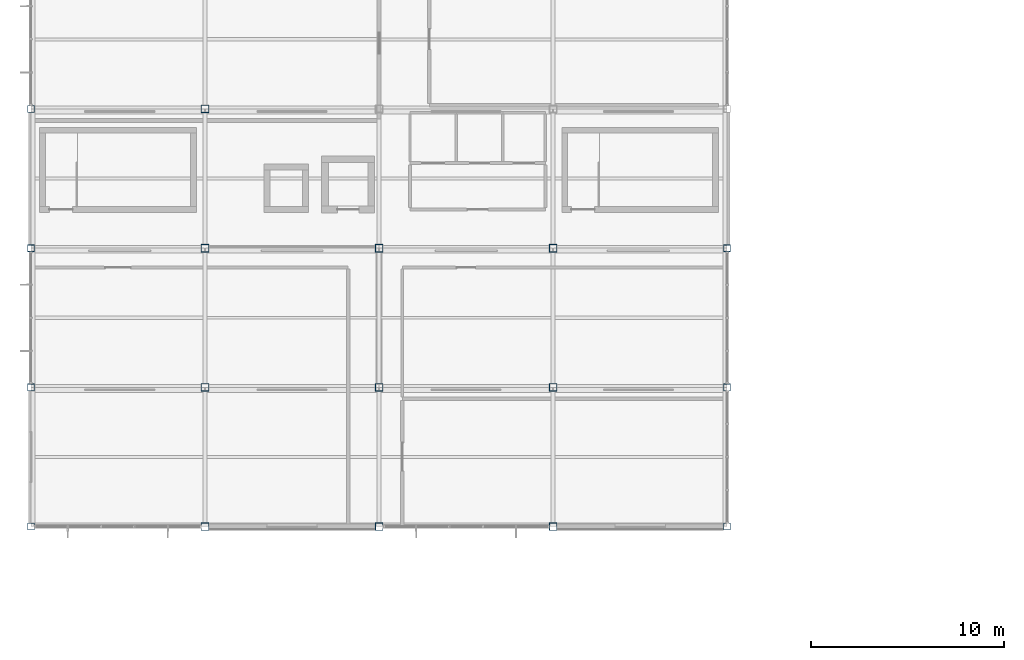
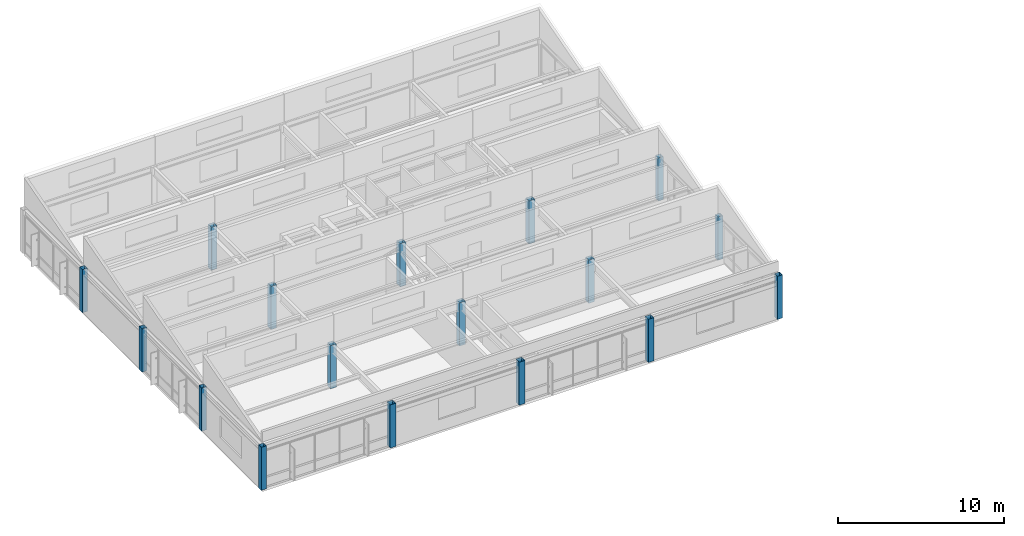
# One storey, part 1 of 43: 17 columns.
"""IFC4 building model written with IfcOpenShell, lengths in metres."""

from ifc_helpers import new_model, si_unit, direction, frame, origin, origin_2d, place, context, subcontext, project, spatial, hollow_rectangle, extrude, material, material_profile, profile_set, type_object, element, save


model = new_model("IFC4")

# Units and contexts
model_context = context("Model", 3, precision=1e-05, world=origin(), true_north=direction((0.0, 1.0)))
body_context = subcontext(model_context, "Body", "Model", "MODEL_VIEW")
ifc_project = project(units=[si_unit("LENGTHUNIT", "METRE"), si_unit("AREAUNIT", "SQUARE_METRE"), si_unit("VOLUMEUNIT", "CUBIC_METRE"), si_unit("PLANEANGLEUNIT", "RADIAN"), si_unit("MASSUNIT", "GRAM", prefix="KILO")], contexts=[model_context])

# Site, building, storey
site_placement = place(None, origin())
site = spatial("IfcSite", under=ifc_project, at=site_placement, CompositionType="ELEMENT")
building_placement = place(site_placement, origin())
building = spatial("IfcBuilding", under=site, at=building_placement, Name="Kazanami Central Library", CompositionType="ELEMENT")
storey_placement = place(building_placement, frame((0.0, 0.0, 20.60009765625)))
storey = spatial("IfcBuildingStorey", under=building, at=storey_placement, Name="L06", CompositionType="ELEMENT", Elevation=20.60009765625)

# Columns
ifc_material = material(Name="Steel BCP325 (325 MPa)", Category="steel")
ifc_material_profile_1 = material_profile(ifc_material, hollow_rectangle(XDim=0.35009765625, YDim=0.35009765625, WallThickness=0.011962890625, at=origin_2d()), Name="STKR-350x350x12")
ifc_profile_set_1 = profile_set([ifc_material_profile_1], Name="Steel BCP325 (325 MPa)")
column_type_1 = type_object("IfcColumnType", Name="COL-C-P4E", PredefinedType="COLUMN", material=ifc_profile_set_1)
for number, where, z_axis, x_axis, name in (
    (1, (0.0, 64.800048828125, 0.0), (0.0, 0.0, 1.0), (1.0, 0.0, 0.0), "Column C-P4E L06 1/K"),
    (2, (0.0, 72.0, 0.0), (0.0, 0.0, 1.0), (1.0, 0.0, 0.0), "Column C-P4E L06 1/L"),
    (3, (0.0, 79.199951171875, 0.0), (0.0, 0.0, 1.0), (1.0, 0.0, 0.0), "Column C-P4E L06 1/M"),
    (4, (0.0, 86.39990234375, 0.0), (0.0, 0.0, 1.0), (1.0, 0.0, 0.0), "Column C-P4E L06 1/N"),
    (5, (36.0, 64.800048828125, 0.0), (0.0, 0.0, 1.0), (1.0, 0.0, 0.0), "Column C-P4E L06 5/K"),
    (6, (36.0, 72.0, 0.0), (0.0, 0.0, 1.0), (1.0, 0.0, 0.0), "Column C-P4E L06 5/L"),
    (7, (36.0, 79.199951171875, 0.0), (0.0, 0.0, 1.0), (1.0, 0.0, 0.0), "Column C-P4E L06 5/M"),
):
    element("IfcColumn", number, at=place(storey_placement, frame(where, z_axis=z_axis, x_axis=x_axis)), inside=storey, type_object=column_type_1, Name=name, PredefinedType="COLUMN", context=body_context, shape_type="SweptSolid", body=[
        extrude(hollow_rectangle(XDim=0.35009765625, YDim=0.35009765625, WallThickness=0.011962890625, at=origin_2d()), origin(), (0.0, 0.0, 1.0), 3.179931640625),
    ])
ifc_material_profile_2 = material_profile(ifc_material, hollow_rectangle(XDim=0.39990234375, YDim=0.39990234375, WallThickness=0.01611328125, at=origin_2d()), Name="BCP-400x400x16")
ifc_profile_set_2 = profile_set([ifc_material_profile_2], Name="Steel BCP325 (325 MPa)")
column_type_2 = type_object("IfcColumnType", Name="COL-C-P4I", PredefinedType="COLUMN", material=ifc_profile_set_2)
for number, where, z_axis, x_axis, name in (
    (8, (9.0, 64.800048828125, 0.0), (0.0, 0.0, 1.0), (1.0, 0.0, 0.0), "Column C-P4I L06 2/K"),
    (9, (9.0, 72.0, 0.0), (0.0, 0.0, 1.0), (1.0, 0.0, 0.0), "Column C-P4I L06 2/L"),
    (10, (9.0, 79.199951171875, 0.0), (0.0, 0.0, 1.0), (1.0, 0.0, 0.0), "Column C-P4I L06 2/M"),
    (11, (9.0, 86.39990234375, 0.0), (0.0, 0.0, 1.0), (1.0, 0.0, 0.0), "Column C-P4I L06 2/N"),
    (12, (18.0, 64.800048828125, 0.0), (0.0, 0.0, 1.0), (1.0, 0.0, 0.0), "Column C-P4I L06 3/K"),
    (13, (18.0, 72.0, 0.0), (0.0, 0.0, 1.0), (1.0, 0.0, 0.0), "Column C-P4I L06 3/L"),
    (14, (18.0, 79.199951171875, 0.0), (0.0, 0.0, 1.0), (1.0, 0.0, 0.0), "Column C-P4I L06 3/M"),
    (15, (27.0, 64.800048828125, 0.0), (0.0, 0.0, 1.0), (1.0, 0.0, 0.0), "Column C-P4I L06 4/K"),
    (16, (27.0, 72.0, 0.0), (0.0, 0.0, 1.0), (1.0, 0.0, 0.0), "Column C-P4I L06 4/L"),
    (17, (27.0, 79.199951171875, 0.0), (0.0, 0.0, 1.0), (1.0, 0.0, 0.0), "Column C-P4I L06 4/M"),
):
    element("IfcColumn", number, at=place(storey_placement, frame(where, z_axis=z_axis, x_axis=x_axis)), inside=storey, type_object=column_type_2, Name=name, PredefinedType="COLUMN", context=body_context, shape_type="SweptSolid", body=[
        extrude(hollow_rectangle(XDim=0.39990234375, YDim=0.39990234375, WallThickness=0.01611328125, at=origin_2d()), origin(), (0.0, 0.0, 1.0), 3.179931640625),
    ])

save(model, "model.ifc")
